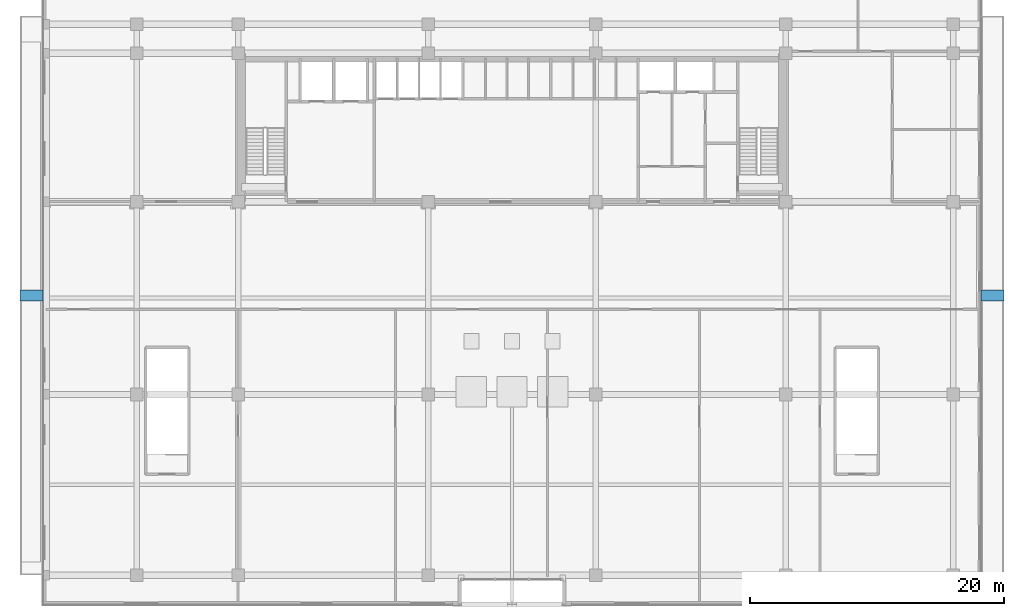
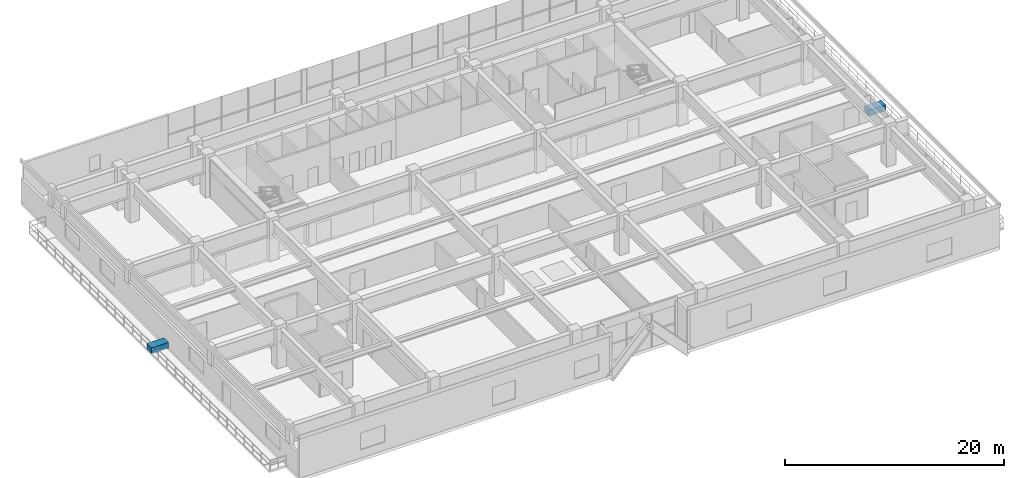
# One storey, part 14 of 17: 2 discrete accessories.
"""IFC4 building model written with IfcOpenShell, lengths in metres."""

import ifcopenshell
import ifcopenshell.guid

model = None  # the IFC model being written
_history = None  # IfcOwnerHistory: only IFC2X3 demands one
_inside = {}  # id of a spatial element -> (the spatial element, [elements in it])
_under = {}  # id of a project, library or spatial element -> (it, [spatial elements below it])
_declared = {}  # id of a project -> (the project, [libraries it declares])
_typed = {}  # id of a type object -> (the type object, [elements of that type])
_made_of = {}  # id of a material, layer set ... -> (it, [elements and type objects made of it])


def new_model(schema):
    """Start an empty IFC model of exactly this schema.

    Asked for "IFC4X3", IfcOpenShell would pick the latest addendum, in which some entities
    have other attributes; the version numbers below select the first issue.
    IFC2X3 requires an IfcOwnerHistory on every rooted entity: one is made here for all.
    """
    global model, _history
    if schema == "IFC4X3":
        model = ifcopenshell.file(schema_version=(4, 3, 0, 0))
    else:
        model = ifcopenshell.file(schema=schema)
    _inside.clear()
    _under.clear()
    _declared.clear()
    _typed.clear()
    _made_of.clear()
    _history = None
    if model.schema == "IFC2X3":
        org = make("IfcOrganization", Name="unknown")
        user = make(
            "IfcPersonAndOrganization",
            ThePerson=make("IfcPerson", FamilyName="unknown"),
            TheOrganization=org,
        )
        app = make(
            "IfcApplication",
            ApplicationDeveloper=org,
            Version="unknown",
            ApplicationFullName="unknown",
            ApplicationIdentifier="unknown",
        )
        _history = make(
            "IfcOwnerHistory",
            OwningUser=user,
            OwningApplication=app,
            ChangeAction="ADDED",
            CreationDate=0,
        )
    return model


def make(cls, **values):
    """One entity of the class cls with the attributes given. An attribute that is None is left unset."""
    return model.create_entity(
        cls, **{name: value for name, value in values.items() if value is not None}
    )


def rooted(cls, **values):
    """An entity with a GlobalId (a new one), such as an element, a storey or a relation."""
    return make(cls, GlobalId=ifcopenshell.guid.new(), OwnerHistory=_history, **values)


def si_unit(unit_type, name, prefix=None):
    """IfcSIUnit, for example si_unit("LENGTHUNIT", "METRE", prefix="MILLI")."""
    return make("IfcSIUnit", UnitType=unit_type, Prefix=prefix, Name=name)


def assignment(units):
    """IfcUnitAssignment: the units of a project."""
    return None if units is None else make("IfcUnitAssignment", Units=units)


def point(xyz):
    """IfcCartesianPoint."""
    return None if xyz is None else make("IfcCartesianPoint", Coordinates=xyz)


def direction(xyz):
    """IfcDirection."""
    return None if xyz is None else make("IfcDirection", DirectionRatios=xyz)


def frame(location, z_axis=None, x_axis=None):
    """IfcAxis2Placement3D, a coordinate frame: its origin and axes. An axis left out is left unset."""
    return make(
        "IfcAxis2Placement3D",
        Location=point(location),
        Axis=direction(z_axis),
        RefDirection=direction(x_axis),
    )


def frame_2d(location, x_axis=None):
    """IfcAxis2Placement2D, a coordinate frame in the plane: its origin and x axis."""
    return make(
        "IfcAxis2Placement2D", Location=point(location), RefDirection=direction(x_axis)
    )


def origin():
    """The frame at (0, 0, 0) with its axes left unset."""
    return frame((0.0, 0.0, 0.0))


def origin_2d():
    """The frame at (0, 0) in the plane with its x axis left unset."""
    return frame_2d((0.0, 0.0))


def place(relative_to, where):
    """IfcLocalPlacement: puts the frame where relative to a parent placement (None: the world)."""
    return make(
        "IfcLocalPlacement", PlacementRelTo=relative_to, RelativePlacement=where
    )


def context(
    kind, dimensions, precision=None, world=None, true_north=None, identifier=None
):
    """IfcGeometricRepresentationContext, for example the 3D "Model" context."""
    return make(
        "IfcGeometricRepresentationContext",
        ContextIdentifier=identifier,
        ContextType=kind,
        CoordinateSpaceDimension=dimensions,
        Precision=precision,
        WorldCoordinateSystem=world,
        TrueNorth=true_north,
    )


def subcontext(parent, identifier, kind, view, scale=None):
    """IfcGeometricRepresentationSubContext, for example "Body" below "Model"."""
    return make(
        "IfcGeometricRepresentationSubContext",
        ContextIdentifier=identifier,
        ContextType=kind,
        ParentContext=parent,
        TargetScale=scale,
        TargetView=view,
    )


def project(units=None, contexts=None):
    """IfcProject with its units and contexts."""
    return rooted(
        "IfcProject",
        Name="project",
        RepresentationContexts=contexts,
        UnitsInContext=assignment(units),
    )


def spatial(cls, under=None, at=None, **own):
    """A site, building, storey or space (cls), placed at a placement, below another one or the project."""
    s = rooted(cls, ObjectPlacement=at, **own)
    if under is not None:
        _under.setdefault(under.id(), (under, []))[1].append(s)
    return s


def profile(cls, at=None, kind="AREA", **sizes):
    """A parametric profile (cls). Its sizes go by their IFC names, for example OverallWidth=200.0."""
    return make(cls, ProfileType=kind, Position=at, **sizes)


def rectangle(**sizes):
    """IfcRectangleProfileDef."""
    return profile("IfcRectangleProfileDef", **sizes)


def extrude(swept, where, along, depth):
    """IfcExtrudedAreaSolid: the profile swept, set in the frame where, extruded along a direction by depth."""
    return make(
        "IfcExtrudedAreaSolid",
        SweptArea=swept,
        Position=where,
        ExtrudedDirection=direction(along),
        Depth=depth,
    )


def shape(context_of_items, identifier, shape_type, items):
    """IfcShapeRepresentation: the items that make up one representation, for example the "Body"."""
    return make(
        "IfcShapeRepresentation",
        ContextOfItems=context_of_items,
        RepresentationIdentifier=identifier,
        RepresentationType=shape_type,
        Items=items,
    )


def source(mapping_origin, context_of_items, identifier, shape_type, items):
    """IfcRepresentationMap: a shape defined once, which mapped items show again and again."""
    return make(
        "IfcRepresentationMap",
        MappingOrigin=mapping_origin,
        MappedRepresentation=shape(context_of_items, identifier, shape_type, items),
    )


def transform(
    local_origin,
    x_axis=None,
    y_axis=None,
    z_axis=None,
    scale=None,
    scale2=None,
    scale3=None,
    uniform=True,
):
    """IfcCartesianTransformationOperator3D, or its non-uniform kind. x_axis, y_axis, z_axis: its Axis1, 2, 3."""
    if uniform:
        return make(
            "IfcCartesianTransformationOperator3D",
            Axis1=direction(x_axis),
            Axis2=direction(y_axis),
            LocalOrigin=point(local_origin),
            Scale=scale,
            Axis3=direction(z_axis),
        )
    return make(
        "IfcCartesianTransformationOperator3DnonUniform",
        Axis1=direction(x_axis),
        Axis2=direction(y_axis),
        LocalOrigin=point(local_origin),
        Scale=scale,
        Axis3=direction(z_axis),
        Scale2=scale2,
        Scale3=scale3,
    )


def mapped(mapping_source, mapping_target):
    """IfcMappedItem: shows the shape of a source again, moved by a transform."""
    return make(
        "IfcMappedItem", MappingSource=mapping_source, MappingTarget=mapping_target
    )


def material(Name=None, Category=None):
    """IfcMaterial."""
    return make("IfcMaterial", Name=Name, Category=Category)


def made_of(thing, what):
    """Note that an element or type object is made of a material, layer set ...; save() writes the relation."""
    if what is not None:
        _made_of.setdefault(what.id(), (what, []))[1].append(thing)
    return thing


def type_object(cls, material=None, **own):
    """A type object (cls), such as IfcWallType, which elements share."""
    return made_of(rooted(cls, **own), material)


def element(
    cls,
    number,
    at=None,
    inside=None,
    cuts=None,
    type_object=None,
    material=None,
    context=None,
    identifier="Body",
    shape_type=None,
    held_by="IfcProductDefinitionShape",
    body=None,
    shapes=None,
    **own,
):
    """One element of the class cls, such as IfcWall. Its Tag is "e" and its number.

    at: its placement. inside: the storey or other place that contains it. cuts: it is an
    opening in that element (IfcRelVoidsElement). A single representation is given by context,
    identifier, shape_type and body (its items); several are given by shapes. held_by: the class
    of the entity that holds the representations. save() writes the other relations.
    """
    e = rooted(cls, Tag="e%d" % number, ObjectPlacement=at, **own)
    if body is not None:
        shapes = [shape(context, identifier, shape_type, body)]
    if shapes is not None:
        e.Representation = make(held_by, Representations=shapes)
    if inside is not None:
        _inside.setdefault(inside.id(), (inside, []))[1].append(e)
    if cuts is not None:
        rooted(
            "IfcRelVoidsElement", RelatingBuildingElement=cuts, RelatedOpeningElement=e
        )
    if type_object is not None:
        _typed.setdefault(type_object.id(), (type_object, []))[1].append(e)
    return made_of(e, material)


def aggregate(whole, parts):
    """IfcRelAggregates: a whole, such as a stair, and the parts it consists of."""
    return rooted("IfcRelAggregates", RelatingObject=whole, RelatedObjects=parts)


def save(model, path):
    """Write the relations noted so far, then the file.

    IfcRelAggregates (storeys below a building ...), IfcRelContainedInSpatialStructure (elements
    in a storey), IfcRelDefinesByType, IfcRelAssociatesMaterial and IfcRelDeclares: one each for
    every whole, place, type object, material and project.
    """
    for whole, parts in _under.values():
        aggregate(whole, parts)
    for where, things in _inside.values():
        rooted(
            "IfcRelContainedInSpatialStructure",
            RelatedElements=things,
            RelatingStructure=where,
        )
    for kind, things in _typed.values():
        rooted("IfcRelDefinesByType", RelatedObjects=things, RelatingType=kind)
    for what, things in _made_of.values():
        rooted("IfcRelAssociatesMaterial", RelatedObjects=things, RelatingMaterial=what)
    for by, libraries in _declared.values():
        rooted("IfcRelDeclares", RelatingContext=by, RelatedDefinitions=libraries)
    model.write(path)


model = new_model("IFC4")

# Units and contexts
model_context = context("Model", 3, precision=1e-05, world=origin(), true_north=direction((0.0, 1.0)))
body_context = subcontext(model_context, "Body", "Model", "MODEL_VIEW")
ifc_project = project(units=[si_unit("LENGTHUNIT", "METRE"), si_unit("AREAUNIT", "SQUARE_METRE"), si_unit("VOLUMEUNIT", "CUBIC_METRE"), si_unit("PLANEANGLEUNIT", "RADIAN"), si_unit("MASSUNIT", "GRAM", prefix="KILO")], contexts=[model_context])

# Site, building, storey
site_placement = place(None, origin())
site = spatial("IfcSite", under=ifc_project, at=site_placement, CompositionType="ELEMENT")
building_placement = place(site_placement, origin())
building = spatial("IfcBuilding", under=site, at=building_placement, Name="Trelvane Seafront Commons", CompositionType="ELEMENT")
storey_placement = place(building_placement, frame((0.0, 0.0, 18.699951171875)))
storey = spatial("IfcBuildingStorey", under=building, at=storey_placement, Name="L04", CompositionType="ELEMENT", Elevation=18.699951171875)

# Discrete accessories
ifc_material = material(Name="Precast concrete C40/50", Category="concrete")
discrete_accessory_type = type_object("IfcDiscreteAccessoryType", Name="ARCH-ACC-PLANTER", PredefinedType="USERDEFINED", material=ifc_material)
shared_shape = source(origin(), body_context, "Body", "SweptSolid", [
    extrude(rectangle(XDim=1.800048828125, YDim=0.85009765625, at=origin_2d()), origin(), (0.0, 0.0, 1.0), 0.64990234375),
])
for number, where, z_axis, x_axis, name in (
    (1, (-0.699951171875, 26.0, 0.0), (0.0, 0.0, 1.0), (1.0, 0.0, 0.0), "PLN-L04-TR0-003"),
    (2, (75.10009765625, 26.0, 0.0), (0.0, 0.0, 1.0), (1.0, 0.0, 0.0), "PLN-L04-TR1-004"),
):
    element("IfcDiscreteAccessory", number, at=place(storey_placement, frame(where, z_axis=z_axis, x_axis=x_axis)), inside=storey, type_object=discrete_accessory_type, Name=name, ObjectType="BALCONY TREE PLANTER", PredefinedType="USERDEFINED", context=body_context, shape_type="MappedRepresentation", body=[
        mapped(shared_shape, transform((0.0, 0.0, 0.0), x_axis=(1.0, 0.0, 0.0), y_axis=(0.0, 1.0, 0.0), z_axis=(0.0, 0.0, 1.0), scale=1.0)),
    ])

save(model, "model.ifc")
